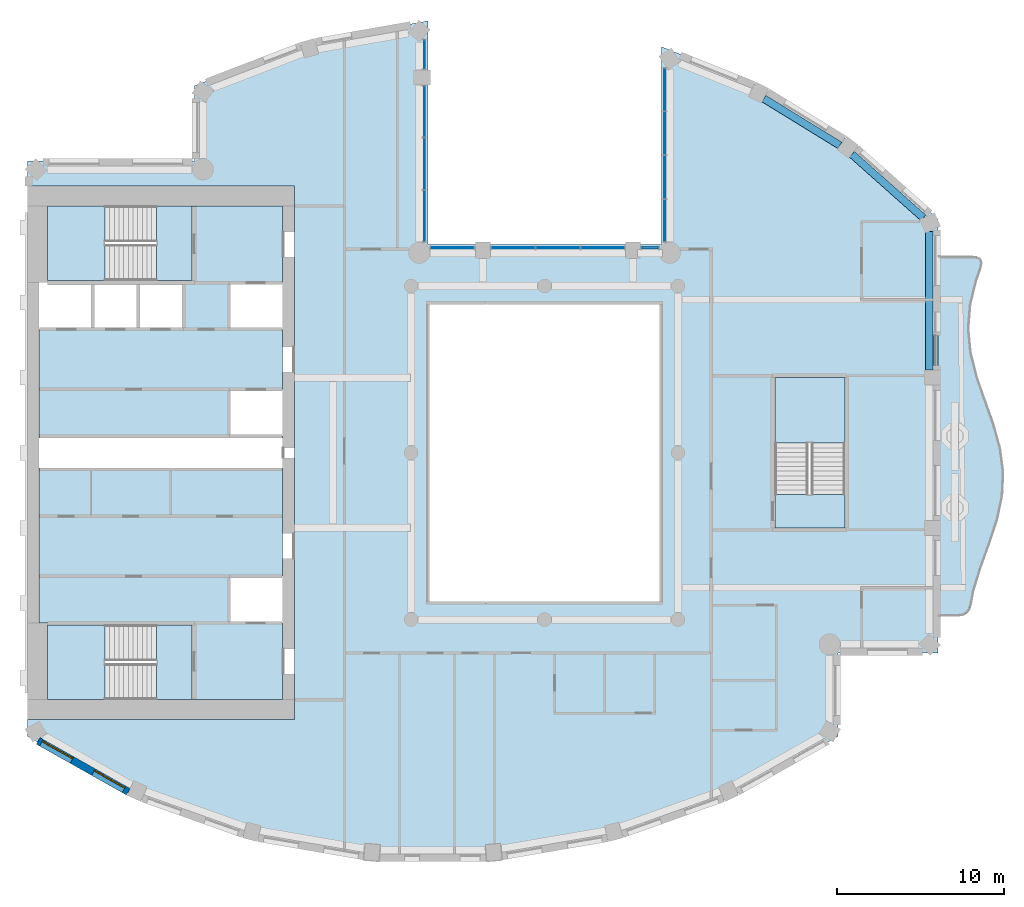
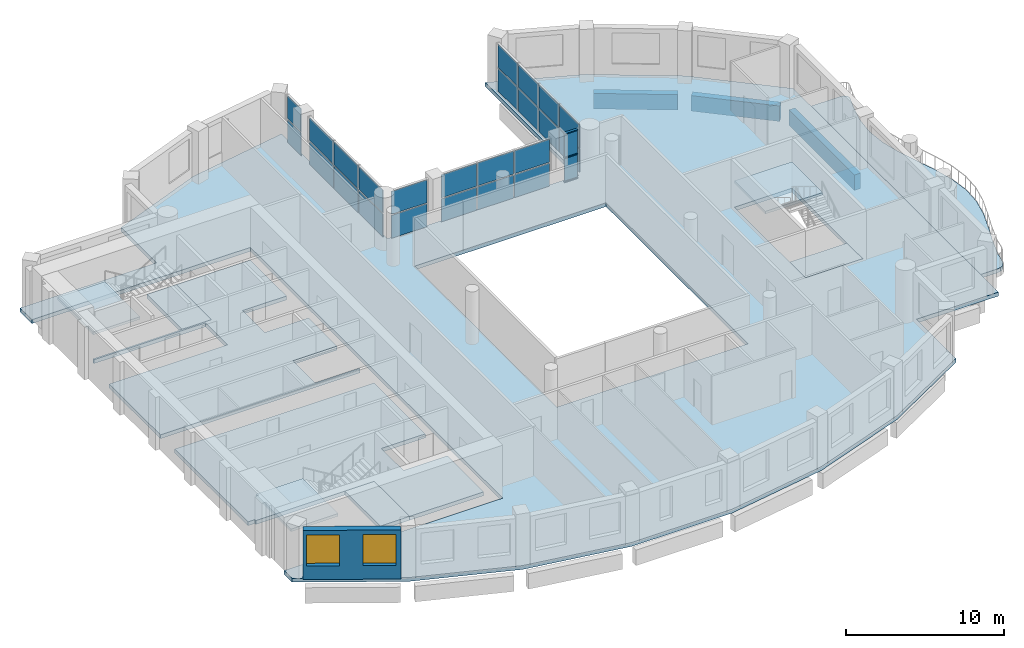
# One storey, part 3 of 14: 26 plates, 10 slabs, 3 beams, 3 members, 2 windows, 1 wall, 2 openings, 9 elements without a shape of their own.
"""IFC4 building model written with IfcOpenShell, lengths in metres."""

from ifc_helpers import new_model, si_unit, direction, frame, frame_2d, origin, origin_2d, place, context, subcontext, project, spatial, polyline, rectangle, outline, extrude, material, layer, layer_set, material_profile, profile_set, type_object, element, fill, aggregate, save


model = new_model("IFC4")

# Units and contexts
model_context = context("Model", 3, precision=1e-05, world=origin(), true_north=direction((0.0, 1.0)))
body_context = subcontext(model_context, "Body", "Model", "MODEL_VIEW")
ifc_project = project(units=[si_unit("LENGTHUNIT", "METRE"), si_unit("AREAUNIT", "SQUARE_METRE"), si_unit("VOLUMEUNIT", "CUBIC_METRE"), si_unit("PLANEANGLEUNIT", "RADIAN"), si_unit("MASSUNIT", "GRAM", prefix="KILO")], contexts=[model_context])

# Site, building, storey
site_placement = place(None, origin())
site = spatial("IfcSite", under=ifc_project, at=site_placement, CompositionType="ELEMENT")
building_placement = place(site_placement, origin())
building = spatial("IfcBuilding", under=site, at=building_placement, Name="Cypress Arch Tower", CompositionType="ELEMENT")
storey_placement = place(building_placement, frame((0.0, 0.0, 284.39990234375)))
storey = spatial("IfcBuildingStorey", under=building, at=storey_placement, Name="L64", CompositionType="ELEMENT", Elevation=284.39990234375)

# Beams
ifc_material_1 = material(Name="Concrete C50/60", Category="concrete")
ifc_material_profile_1 = material_profile(ifc_material_1, rectangle(XDim=0.449951171875, YDim=1.199951171875, at=origin_2d()), Name="RC 450x1200")
ifc_profile_set_1 = profile_set([ifc_material_profile_1], Name="Concrete C50/60")
beam_type = type_object("IfcBeamType", Name="Spandrel beam RC 450x1200 Concrete C50/60", PredefinedType="SPANDREL", material=ifc_profile_set_1)
beam_1_placement = place(storey_placement, frame((24.074951171875, 4.949951171875, -1.5498046875), z_axis=(0.0, 1.0, 0.0), x_axis=(-1.0, 0.0, 0.0)))
element("IfcBeam", 1, at=beam_1_placement, inside=storey, type_object=beam_type, Name="Spandrel beam L64 BC17-2", PredefinedType="SPANDREL", context=body_context, shape_type="SweptSolid", body=[
    extrude(rectangle(XDim=0.449951171875, YDim=1.199951171875, at=origin_2d()), origin(), (0.0, 0.0, 1.0), 8.32080078125),
])
beam_2_placement = place(storey_placement, frame((23.706298828125, 14.091796875, -1.5498046875), z_axis=(-0.747555073917, 0.664199827959, 0.0), x_axis=(-0.664199827959, -0.747555073917, 0.0)))
element("IfcBeam", 2, at=beam_2_placement, inside=storey, type_object=beam_type, Name="Spandrel beam L64 BC18-0", PredefinedType="SPANDREL", context=body_context, shape_type="SweptSolid", body=[
    extrude(rectangle(XDim=0.449951171875, YDim=1.199951171875, at=origin_2d()), origin(), (0.0, 0.0, 1.0), 5.72900390625),
])
beam_3_placement = place(storey_placement, frame((18.700927734375, 18.43359375, -1.5498046875), z_axis=(-0.851880940975, 0.523735488966, 0.0), x_axis=(-0.523735488966, -0.851880940975, 0.0)))
element("IfcBeam", 3, at=beam_3_placement, inside=storey, type_object=beam_type, Name="Spandrel beam L64 BC19-0", PredefinedType="SPANDREL", context=body_context, shape_type="SweptSolid", body=[
    extrude(rectangle(XDim=0.449951171875, YDim=1.199951171875, at=origin_2d()), origin(), (0.0, 0.0, 1.0), 5.344970703125),
])

# Curtain wall, members
ifc_material_2 = material(Name="Anodised aluminium, bronze finish, clear laminated double glazing", Category="aluminium")
curtain_wall_type = type_object("IfcCurtainWallType", Name="Curtain wall CW7 slot glazing", PredefinedType="NOTDEFINED", material=ifc_material_2)
curtain_wall_1_placement = place(storey_placement, origin())
curtain_wall_1 = element("IfcCurtainWall", 4, at=curtain_wall_1_placement, inside=storey, type_object=curtain_wall_type, Name="Curtain wall L64 slot C01.0", PredefinedType="NOTDEFINED")
ifc_material_3 = material(Name="Anodised aluminium, bronze finish", Category="aluminium")
ifc_material_profile_2 = material_profile(ifc_material_3, rectangle(XDim=0.179931640625, YDim=0.0849609375, at=origin_2d()), Name="Transom 85x180")
ifc_profile_set_2 = profile_set([ifc_material_profile_2], Name="Anodised aluminium, bronze finish")
member_type = type_object("IfcMemberType", Name="Transom CW7 85x180", PredefinedType="USERDEFINED", material=ifc_profile_set_2)
member_1_placement = place(storey_placement, frame((7.8134765625, 12.300048828125, 0.04248046875), z_axis=(-1.0, 0.0, 0.0), x_axis=(0.0, -1.0, 0.0)))
member_1 = element("IfcMember", 5, at=member_1_placement, type_object=member_type, Name="CW7 transom 1.1", ObjectType="TRANSOM", PredefinedType="USERDEFINED", context=body_context, shape_type="SweptSolid", body=[
    extrude(rectangle(XDim=0.179931640625, YDim=0.0849609375, at=origin_2d()), origin(), (0.0, 0.0, 1.0), 0.978515625),
])
member_2_placement = place(storey_placement, frame((7.8134765625, 12.300048828125, 1.900146484375), z_axis=(-1.0, 0.0, 0.0), x_axis=(0.0, -1.0, 0.0)))
member_2 = element("IfcMember", 6, at=member_2_placement, type_object=member_type, Name="CW7 transom 1.2", ObjectType="TRANSOM", PredefinedType="USERDEFINED", context=body_context, shape_type="SweptSolid", body=[
    extrude(rectangle(XDim=0.179931640625, YDim=0.0849609375, at=origin_2d()), origin(), (0.0, 0.0, 1.0), 0.978515625),
])
member_3_placement = place(storey_placement, frame((7.8134765625, 12.300048828125, 3.757568359375), z_axis=(-1.0, 0.0, 0.0), x_axis=(0.0, -1.0, 0.0)))
member_3 = element("IfcMember", 7, at=member_3_placement, type_object=member_type, Name="CW7 transom 1.3", ObjectType="TRANSOM", PredefinedType="USERDEFINED", context=body_context, shape_type="SweptSolid", body=[
    extrude(rectangle(XDim=0.179931640625, YDim=0.0849609375, at=origin_2d()), origin(), (0.0, 0.0, 1.0), 0.978515625),
])

# Slabs
ifc_material_4 = material(Name="Concrete C40/50", Category="concrete")
ifc_layer_1 = layer(ifc_material_4, 0.300048828125)
ifc_layer_set_1 = layer_set([ifc_layer_1], Name="Balcony slab BS300")
slab_type_1 = type_object("IfcSlabType", Name="Balcony slab BS300", PredefinedType="USERDEFINED", material=ifc_layer_set_1)
slab_1_placement = place(storey_placement, frame((0.0, 0.0, -0.2998046875)))
element("IfcSlab", 8, at=slab_1_placement, inside=storey, type_object=slab_type_1, Name="Balcony slab L64-C17", ObjectType="BALCONY SLAB", PredefinedType="USERDEFINED", context=body_context, shape_type="SweptSolid", body=[
    extrude(outline(polyline([(24.60009765625, -9.75), (25.78076171875, -9.75), (26.074462890625, -9.709716796875), (26.300537109375, -9.5888671875), (26.459228515625, -9.38720703125), (26.55029296875, -9.10498046875), (26.6904296875, -8.316650390625), (27.13134765625, -6.88330078125), (27.650390625, -5.449951171875), (28.1201171875, -4.0166015625), (28.42578125, -2.583251953125), (28.4921875, -1.14990234375), (28.302978515625, 0.283447265625), (27.90478515625, 1.716552734375), (27.39501953125, 3.14990234375), (26.898681640625, 4.583251953125), (26.53759765625, 6.0166015625), (26.400146484375, 7.449951171875), (26.52001953125, 8.88330078125), (26.867919921875, 10.316650390625), (27.1376953125, 11.10498046875), (27.191650390625, 11.38720703125), (27.1328125, 11.5888671875), (26.961181640625, 11.709716796875), (26.6767578125, 11.75), (24.60009765625, 11.75), (24.60009765625, -9.75)])), origin(), (0.0, 0.0, 1.0), 0.2998046875),
])
ifc_material_5 = material(Name="Concrete C40/50", Category="concrete")
ifc_layer_2 = layer(ifc_material_5, 0.300048828125)
ifc_layer_set_2 = layer_set([ifc_layer_2], Name="Core floor CF300")
slab_type_2 = type_object("IfcSlabType", Name="Core floor CF300", PredefinedType="FLOOR", material=ifc_layer_set_2)
slab_2_placement = place(storey_placement, frame((0.0, 0.0, -0.2998046875)))
element("IfcSlab", 9, at=slab_2_placement, inside=storey, type_object=slab_type_2, Name="Core floor", PredefinedType="FLOOR", context=body_context, shape_type="SweptSolid", body=[
    extrude(outline(polyline([(-28.89990234375, -10.199951171875), (-29.300048828125, -10.199951171875), (-29.300048828125, -0.89990234375), (-28.89990234375, -0.89990234375), (-15.10009765625, -0.89990234375), (-14.699951171875, -0.89990234375), (-14.699951171875, -7.39990234375), (-15.10009765625, -7.39990234375), (-17.919921875, -7.39990234375), (-17.919921875, -10.199951171875), (-15.10009765625, -10.199951171875), (-14.699951171875, -10.199951171875), (-14.699951171875, -14.800048828125), (-15.10009765625, -14.800048828125), (-20.125, -14.800048828125), (-20.125, -10.324951171875), (-22.27490234375, -10.324951171875), (-28.800048828125, -10.324951171875), (-28.800048828125, -10.199951171875), (-28.89990234375, -10.199951171875)])), origin(), (0.0, 0.0, 1.0), 0.2998046875),
])
slab_3_placement = place(storey_placement, frame((0.0, 0.0, -0.2998046875)))
element("IfcSlab", 10, at=slab_3_placement, inside=storey, type_object=slab_type_2, Name="Core floor", PredefinedType="FLOOR", context=body_context, shape_type="SweptSolid", body=[
    extrude(outline(polyline([(-22.27490234375, -10.324951171875), (-22.27490234375, -14.800048828125), (-20.125, -14.800048828125), (-20.125, -10.324951171875), (-22.27490234375, -10.324951171875)])), origin(), (0.0, 0.0, 1.0), 0.2998046875),
])
slab_4_placement = place(storey_placement, frame((0.0, 0.0, -0.2998046875)))
element("IfcSlab", 11, at=slab_4_placement, inside=storey, type_object=slab_type_2, Name="Core floor", PredefinedType="FLOOR", context=body_context, shape_type="SweptSolid", body=[
    extrude(outline(polyline([(-20.125, 14.800048828125), (-22.27490234375, 14.800048828125), (-22.27490234375, 10.324951171875), (-20.125, 10.324951171875), (-20.125, 14.800048828125)])), origin(), (0.0, 0.0, 1.0), 0.2998046875),
])
slab_5_placement = place(storey_placement, frame((0.0, 0.0, -0.2998046875)))
element("IfcSlab", 12, at=slab_5_placement, inside=storey, type_object=slab_type_2, Name="Stair floor landing", PredefinedType="FLOOR", context=body_context, shape_type="SweptSolid", body=[
    extrude(outline(polyline([(19.0, -4.5), (19.0, -2.5), (14.800048828125, -2.5), (14.800048828125, -4.5), (19.0, -4.5)])), origin(), (0.0, 0.0, 1.0), 0.2998046875),
])
slab_6_placement = place(storey_placement, frame((0.0, 0.0, -0.2998046875)))
element("IfcSlab", 13, at=slab_6_placement, inside=storey, type_object=slab_type_2, Name="Core floor", PredefinedType="FLOOR", context=body_context, shape_type="SweptSolid", body=[
    extrude(outline(polyline([(-20.639892578125, 10.199951171875), (-23.360107421875, 10.199951171875), (-26.080078125, 10.199951171875), (-28.800048828125, 10.199951171875), (-28.800048828125, 10.324951171875), (-22.27490234375, 10.324951171875), (-20.125, 10.324951171875), (-20.125, 14.800048828125), (-15.10009765625, 14.800048828125), (-14.699951171875, 14.800048828125), (-14.699951171875, 10.199951171875), (-15.10009765625, 10.199951171875), (-17.919921875, 10.199951171875), (-17.919921875, 7.39990234375), (-15.10009765625, 7.39990234375), (-14.699951171875, 7.39990234375), (-14.699951171875, 3.800048828125), (-15.10009765625, 3.800048828125), (-17.919921875, 3.800048828125), (-17.919921875, 1.5), (-17.919921875, 1.0), (-17.5, 1.0), (-15.10009765625, 1.0), (-14.699951171875, 1.0), (-14.699951171875, 0.89990234375), (-15.10009765625, 0.89990234375), (-17.5, 0.89990234375), (-18.300048828125, 0.89990234375), (-28.89990234375, 0.89990234375), (-29.300048828125, 0.89990234375), (-29.300048828125, 1.5), (-29.300048828125, 7.39990234375), (-28.89990234375, 7.39990234375), (-26.080078125, 7.39990234375), (-23.360107421875, 7.39990234375), (-20.639892578125, 7.39990234375), (-20.639892578125, 10.199951171875)])), origin(), (0.0, 0.0, 1.0), 0.2998046875),
])

# Curtain wall, plates
curtain_wall_2_placement = place(storey_placement, origin())
curtain_wall_2 = element("IfcCurtainWall", 14, at=curtain_wall_2_placement, inside=storey, type_object=curtain_wall_type, Name="Curtain wall L64 slot C00.0", PredefinedType="NOTDEFINED")
ifc_material_6 = material(Name="Clear laminated double glazing", Category="glass")
ifc_layer_3 = layer(ifc_material_6, 0.0439453125)
ifc_layer_set_3 = layer_set([ifc_layer_3], Name="Glass panel CW7 44")
plate_type = type_object("IfcPlateType", Name="Glass panel CW7 44", PredefinedType="CURTAIN_PANEL", material=ifc_layer_set_3)
plate_1_placement = place(storey_placement, frame((8.199951171875, 21.768798828125, 0.085205078125), z_axis=(0.0, 0.0, 1.0), x_axis=(0.0, -1.0, 0.0)))
plate_1 = element("IfcPlate", 15, at=plate_1_placement, type_object=plate_type, Name="CW7 panel 1.1", PredefinedType="CURTAIN_PANEL", context=body_context, shape_type="SweptSolid", body=[
    extrude(rectangle(XDim=2.497802734375, YDim=0.0439453125, at=origin_2d()), origin(), (0.0, 0.0, 1.0), 1.7724609375),
])
plate_2_placement = place(storey_placement, frame((8.199951171875, 21.768798828125, 1.942626953125), z_axis=(0.0, 0.0, 1.0), x_axis=(0.0, -1.0, 0.0)))
plate_2 = element("IfcPlate", 16, at=plate_2_placement, type_object=plate_type, Name="CW7 panel 1.2", PredefinedType="CURTAIN_PANEL", context=body_context, shape_type="SweptSolid", body=[
    extrude(rectangle(XDim=2.497802734375, YDim=0.0439453125, at=origin_2d()), origin(), (0.0, 0.0, 1.0), 1.7724609375),
])
plate_3_placement = place(storey_placement, frame((8.199951171875, 19.164794921875, 0.085205078125), z_axis=(0.0, 0.0, 1.0), x_axis=(0.0, -1.0, 0.0)))
plate_3 = element("IfcPlate", 17, at=plate_3_placement, type_object=plate_type, Name="CW7 panel 2.1", PredefinedType="CURTAIN_PANEL", context=body_context, shape_type="SweptSolid", body=[
    extrude(rectangle(XDim=2.540283203125, YDim=0.0439453125, at=origin_2d()), origin(), (0.0, 0.0, 1.0), 1.7724609375),
])
plate_4_placement = place(storey_placement, frame((8.199951171875, 19.164794921875, 1.942626953125), z_axis=(0.0, 0.0, 1.0), x_axis=(0.0, -1.0, 0.0)))
plate_4 = element("IfcPlate", 18, at=plate_4_placement, type_object=plate_type, Name="CW7 panel 2.2", PredefinedType="CURTAIN_PANEL", context=body_context, shape_type="SweptSolid", body=[
    extrude(rectangle(XDim=2.540283203125, YDim=0.0439453125, at=origin_2d()), origin(), (0.0, 0.0, 1.0), 1.7724609375),
])
plate_5_placement = place(storey_placement, frame((8.199951171875, 16.53955078125, 0.085205078125), z_axis=(0.0, 0.0, 1.0), x_axis=(0.0, -1.0, 0.0)))
plate_5 = element("IfcPlate", 19, at=plate_5_placement, type_object=plate_type, Name="CW7 panel 3.1", PredefinedType="CURTAIN_PANEL", context=body_context, shape_type="SweptSolid", body=[
    extrude(rectangle(XDim=2.540283203125, YDim=0.0439453125, at=origin_2d()), origin(), (0.0, 0.0, 1.0), 1.7724609375),
])
plate_6_placement = place(storey_placement, frame((8.199951171875, 16.53955078125, 1.942626953125), z_axis=(0.0, 0.0, 1.0), x_axis=(0.0, -1.0, 0.0)))
plate_6 = element("IfcPlate", 20, at=plate_6_placement, type_object=plate_type, Name="CW7 panel 3.2", PredefinedType="CURTAIN_PANEL", context=body_context, shape_type="SweptSolid", body=[
    extrude(rectangle(XDim=2.540283203125, YDim=0.0439453125, at=origin_2d()), origin(), (0.0, 0.0, 1.0), 1.7724609375),
])
plate_7_placement = place(storey_placement, frame((8.199951171875, 13.935302734375, 0.085205078125), z_axis=(0.0, 0.0, 1.0), x_axis=(0.0, -1.0, 0.0)))
plate_7 = element("IfcPlate", 21, at=plate_7_placement, type_object=plate_type, Name="CW7 panel 4.1", PredefinedType="CURTAIN_PANEL", context=body_context, shape_type="SweptSolid", body=[
    extrude(rectangle(XDim=2.497802734375, YDim=0.0439453125, at=origin_2d()), origin(), (0.0, 0.0, 1.0), 1.7724609375),
])
plate_8_placement = place(storey_placement, frame((8.199951171875, 13.935302734375, 1.942626953125), z_axis=(0.0, 0.0, 1.0), x_axis=(0.0, -1.0, 0.0)))
plate_8 = element("IfcPlate", 22, at=plate_8_placement, type_object=plate_type, Name="CW7 panel 4.2", PredefinedType="CURTAIN_PANEL", context=body_context, shape_type="SweptSolid", body=[
    extrude(rectangle(XDim=2.497802734375, YDim=0.0439453125, at=origin_2d()), origin(), (0.0, 0.0, 1.0), 1.7724609375),
])
aggregate(curtain_wall_2, [plate_1, plate_2, plate_3, plate_4, plate_5, plate_6, plate_7, plate_8])

# Plate
plate_9_placement = place(storey_placement, frame((7.32421875, 12.300048828125, 0.085205078125), z_axis=(0.0, 0.0, 1.0), x_axis=(-1.0, 0.0, 0.0)))
plate_9 = element("IfcPlate", 23, at=plate_9_placement, type_object=plate_type, Name="CW7 panel 1.1", PredefinedType="CURTAIN_PANEL", context=body_context, shape_type="SweptSolid", body=[
    extrude(rectangle(XDim=0.978515625, YDim=0.0439453125, at=origin_2d()), origin(), (0.0, 0.0, 1.0), 1.7724609375),
])

plate_10_placement = place(storey_placement, frame((7.32421875, 12.300048828125, 1.942626953125), z_axis=(0.0, 0.0, 1.0), x_axis=(-1.0, 0.0, 0.0)))
plate_10 = element("IfcPlate", 24, at=plate_10_placement, type_object=plate_type, Name="CW7 panel 1.2", PredefinedType="CURTAIN_PANEL", context=body_context, shape_type="SweptSolid", body=[
    extrude(rectangle(XDim=0.978515625, YDim=0.0439453125, at=origin_2d()), origin(), (0.0, 0.0, 1.0), 1.7724609375),
])

aggregate(curtain_wall_1, [member_1, member_2, member_3, plate_9, plate_10])

# Curtain wall, plates
curtain_wall_3_placement = place(storey_placement, origin())
curtain_wall_3 = element("IfcCurtainWall", 25, at=curtain_wall_3_placement, inside=storey, type_object=curtain_wall_type, Name="Curtain wall L64 slot C01.1", PredefinedType="NOTDEFINED")
plate_11_placement = place(storey_placement, frame((4.478759765625, 12.300048828125, 0.085205078125), z_axis=(0.0, 0.0, 1.0), x_axis=(-1.0, 0.0, 0.0)))
plate_11 = element("IfcPlate", 26, at=plate_11_placement, type_object=plate_type, Name="CW7 panel 1.1", PredefinedType="CURTAIN_PANEL", context=body_context, shape_type="SweptSolid", body=[
    extrude(rectangle(XDim=2.572509765625, YDim=0.0439453125, at=origin_2d()), origin(), (0.0, 0.0, 1.0), 1.7724609375),
])
plate_12_placement = place(storey_placement, frame((4.478759765625, 12.300048828125, 1.942626953125), z_axis=(0.0, 0.0, 1.0), x_axis=(-1.0, 0.0, 0.0)))
plate_12 = element("IfcPlate", 27, at=plate_12_placement, type_object=plate_type, Name="CW7 panel 1.2", PredefinedType="CURTAIN_PANEL", context=body_context, shape_type="SweptSolid", body=[
    extrude(rectangle(XDim=2.572509765625, YDim=0.0439453125, at=origin_2d()), origin(), (0.0, 0.0, 1.0), 1.7724609375),
])
plate_13_placement = place(storey_placement, frame((1.800048828125, 12.300048828125, 0.085205078125), z_axis=(0.0, 0.0, 1.0), x_axis=(-1.0, 0.0, 0.0)))
plate_13 = element("IfcPlate", 28, at=plate_13_placement, type_object=plate_type, Name="CW7 panel 2.1", PredefinedType="CURTAIN_PANEL", context=body_context, shape_type="SweptSolid", body=[
    extrude(rectangle(XDim=2.614990234375, YDim=0.0439453125, at=origin_2d()), origin(), (0.0, 0.0, 1.0), 1.7724609375),
])
plate_14_placement = place(storey_placement, frame((1.800048828125, 12.300048828125, 1.942626953125), z_axis=(0.0, 0.0, 1.0), x_axis=(-1.0, 0.0, 0.0)))
plate_14 = element("IfcPlate", 29, at=plate_14_placement, type_object=plate_type, Name="CW7 panel 2.2", PredefinedType="CURTAIN_PANEL", context=body_context, shape_type="SweptSolid", body=[
    extrude(rectangle(XDim=2.614990234375, YDim=0.0439453125, at=origin_2d()), origin(), (0.0, 0.0, 1.0), 1.7724609375),
])
plate_15_placement = place(storey_placement, frame((-0.878662109375, 12.300048828125, 0.085205078125), z_axis=(0.0, 0.0, 1.0), x_axis=(-1.0, 0.0, 0.0)))
plate_15 = element("IfcPlate", 30, at=plate_15_placement, type_object=plate_type, Name="CW7 panel 3.1", PredefinedType="CURTAIN_PANEL", context=body_context, shape_type="SweptSolid", body=[
    extrude(rectangle(XDim=2.572509765625, YDim=0.0439453125, at=origin_2d()), origin(), (0.0, 0.0, 1.0), 1.7724609375),
])
plate_16_placement = place(storey_placement, frame((-0.878662109375, 12.300048828125, 1.942626953125), z_axis=(0.0, 0.0, 1.0), x_axis=(-1.0, 0.0, 0.0)))
plate_16 = element("IfcPlate", 31, at=plate_16_placement, type_object=plate_type, Name="CW7 panel 3.2", PredefinedType="CURTAIN_PANEL", context=body_context, shape_type="SweptSolid", body=[
    extrude(rectangle(XDim=2.572509765625, YDim=0.0439453125, at=origin_2d()), origin(), (0.0, 0.0, 1.0), 1.7724609375),
])
aggregate(curtain_wall_3, [plate_11, plate_12, plate_13, plate_14, plate_15, plate_16])

curtain_wall_4_placement = place(storey_placement, origin())
curtain_wall_4 = element("IfcCurtainWall", 32, at=curtain_wall_4_placement, inside=storey, type_object=curtain_wall_type, Name="Curtain wall L64 slot C01.2", PredefinedType="NOTDEFINED")
plate_17_placement = place(storey_placement, frame((-4.524169921875, 12.300048828125, 0.085205078125), z_axis=(0.0, 0.0, 1.0), x_axis=(-1.0, 0.0, 0.0)))
plate_17 = element("IfcPlate", 33, at=plate_17_placement, type_object=plate_type, Name="CW7 panel 1.1", PredefinedType="CURTAIN_PANEL", context=body_context, shape_type="SweptSolid", body=[
    extrude(rectangle(XDim=2.57861328125, YDim=0.0439453125, at=origin_2d()), origin(), (0.0, 0.0, 1.0), 1.7724609375),
])
plate_18_placement = place(storey_placement, frame((-4.524169921875, 12.300048828125, 1.942626953125), z_axis=(0.0, 0.0, 1.0), x_axis=(-1.0, 0.0, 0.0)))
plate_18 = element("IfcPlate", 34, at=plate_18_placement, type_object=plate_type, Name="CW7 panel 1.2", PredefinedType="CURTAIN_PANEL", context=body_context, shape_type="SweptSolid", body=[
    extrude(rectangle(XDim=2.57861328125, YDim=0.0439453125, at=origin_2d()), origin(), (0.0, 0.0, 1.0), 1.7724609375),
])
aggregate(curtain_wall_4, [plate_17, plate_18])

curtain_wall_5_placement = place(storey_placement, origin())
curtain_wall_5 = element("IfcCurtainWall", 35, at=curtain_wall_5_placement, inside=storey, type_object=curtain_wall_type, Name="Curtain wall L64 slot C02.0", PredefinedType="NOTDEFINED")
plate_19_placement = place(storey_placement, frame((-6.199951171875, 14.197509765625, 0.085205078125), z_axis=(0.0, 0.0, 1.0), x_axis=(0.0, 1.0, 0.0)))
plate_19 = element("IfcPlate", 36, at=plate_19_placement, type_object=plate_type, Name="CW7 panel 1.1", PredefinedType="CURTAIN_PANEL", context=body_context, shape_type="SweptSolid", body=[
    extrude(rectangle(XDim=3.02197265625, YDim=0.0439453125, at=origin_2d()), origin(), (0.0, 0.0, 1.0), 1.7724609375),
])
plate_20_placement = place(storey_placement, frame((-6.199951171875, 14.197509765625, 1.942626953125), z_axis=(0.0, 0.0, 1.0), x_axis=(0.0, 1.0, 0.0)))
plate_20 = element("IfcPlate", 37, at=plate_20_placement, type_object=plate_type, Name="CW7 panel 1.2", PredefinedType="CURTAIN_PANEL", context=body_context, shape_type="SweptSolid", body=[
    extrude(rectangle(XDim=3.02197265625, YDim=0.0439453125, at=origin_2d()), origin(), (0.0, 0.0, 1.0), 1.7724609375),
])
plate_21_placement = place(storey_placement, frame((-6.199951171875, 17.32568359375, 0.085205078125), z_axis=(0.0, 0.0, 1.0), x_axis=(0.0, 1.0, 0.0)))
plate_21 = element("IfcPlate", 38, at=plate_21_placement, type_object=plate_type, Name="CW7 panel 2.1", PredefinedType="CURTAIN_PANEL", context=body_context, shape_type="SweptSolid", body=[
    extrude(rectangle(XDim=3.064453125, YDim=0.0439453125, at=origin_2d()), origin(), (0.0, 0.0, 1.0), 1.7724609375),
])
plate_22_placement = place(storey_placement, frame((-6.199951171875, 17.32568359375, 1.942626953125), z_axis=(0.0, 0.0, 1.0), x_axis=(0.0, 1.0, 0.0)))
plate_22 = element("IfcPlate", 39, at=plate_22_placement, type_object=plate_type, Name="CW7 panel 2.2", PredefinedType="CURTAIN_PANEL", context=body_context, shape_type="SweptSolid", body=[
    extrude(rectangle(XDim=3.064453125, YDim=0.0439453125, at=origin_2d()), origin(), (0.0, 0.0, 1.0), 1.7724609375),
])
plate_23_placement = place(storey_placement, frame((-6.199951171875, 20.4541015625, 0.085205078125), z_axis=(0.0, 0.0, 1.0), x_axis=(0.0, 1.0, 0.0)))
plate_23 = element("IfcPlate", 40, at=plate_23_placement, type_object=plate_type, Name="CW7 panel 3.1", PredefinedType="CURTAIN_PANEL", context=body_context, shape_type="SweptSolid", body=[
    extrude(rectangle(XDim=3.02197265625, YDim=0.0439453125, at=origin_2d()), origin(), (0.0, 0.0, 1.0), 1.7724609375),
])
plate_24_placement = place(storey_placement, frame((-6.199951171875, 20.4541015625, 1.942626953125), z_axis=(0.0, 0.0, 1.0), x_axis=(0.0, 1.0, 0.0)))
plate_24 = element("IfcPlate", 41, at=plate_24_placement, type_object=plate_type, Name="CW7 panel 3.2", PredefinedType="CURTAIN_PANEL", context=body_context, shape_type="SweptSolid", body=[
    extrude(rectangle(XDim=3.02197265625, YDim=0.0439453125, at=origin_2d()), origin(), (0.0, 0.0, 1.0), 1.7724609375),
])
aggregate(curtain_wall_5, [plate_19, plate_20, plate_21, plate_22, plate_23, plate_24])

curtain_wall_6_placement = place(storey_placement, origin())
curtain_wall_6 = element("IfcCurtainWall", 42, at=curtain_wall_6_placement, inside=storey, type_object=curtain_wall_type, Name="Curtain wall L64 slot C02.1", PredefinedType="NOTDEFINED")
plate_25_placement = place(storey_placement, frame((-6.199951171875, 23.89111328125, 0.085205078125), z_axis=(0.0, 0.0, 1.0), x_axis=(0.0, 1.0, 0.0)))
plate_25 = element("IfcPlate", 43, at=plate_25_placement, type_object=plate_type, Name="CW7 panel 1.1", PredefinedType="CURTAIN_PANEL", context=body_context, shape_type="SweptSolid", body=[
    extrude(rectangle(XDim=1.71240234375, YDim=0.0439453125, at=origin_2d()), origin(), (0.0, 0.0, 1.0), 1.7724609375),
])
plate_26_placement = place(storey_placement, frame((-6.199951171875, 23.89111328125, 1.942626953125), z_axis=(0.0, 0.0, 1.0), x_axis=(0.0, 1.0, 0.0)))
plate_26 = element("IfcPlate", 44, at=plate_26_placement, type_object=plate_type, Name="CW7 panel 1.2", PredefinedType="CURTAIN_PANEL", context=body_context, shape_type="SweptSolid", body=[
    extrude(rectangle(XDim=1.71240234375, YDim=0.0439453125, at=origin_2d()), origin(), (0.0, 0.0, 1.0), 1.7724609375),
])
aggregate(curtain_wall_6, [plate_25, plate_26])

# Slab
ifc_material_7 = material(Name="Concrete C40/50", Category="concrete")
ifc_layer_4 = layer(ifc_material_7, 0.300048828125)
ifc_layer_set_4 = layer_set([ifc_layer_4], Name="PT flat slab 300 Concrete C40/50")
slab_type_3 = type_object("IfcSlabType", Name="PT flat slab 300 Concrete C40/50", PredefinedType="FLOOR", material=ifc_layer_set_4)
slab_7_placement = place(storey_placement, frame((0.0, 0.0, -0.2998046875)))
element("IfcSlab", 45, at=slab_7_placement, inside=storey, type_object=slab_type_3, Name="Floor slab L64", PredefinedType="FLOOR", context=body_context, shape_type="SweptSolid", body=[
    extrude(outline(polyline([(-30.0, 17.5), (-20.0, 17.5), (-20.0, 22.0), (-13.199951171875, 24.6201171875), (-6.0, 25.889892578125), (-6.0, 12.5), (8.0, 12.5), (8.0, 24.35009765625), (14.0, 21.93994140625), (19.39990234375, 18.6201171875), (24.60009765625, 14.0), (24.60009765625, -12.0), (18.60009765625, -12.0), (18.60009765625, -17.0), (12.179931640625, -20.6201171875), (5.239990234375, -23.090087890625), (-2.02001953125, -24.340087890625), (-9.3798828125, -24.340087890625), (-16.639892578125, -23.090087890625), (-23.580078125, -20.6201171875), (-30.0, -17.0), (-30.0, -16.0), (-14.0, -16.0), (-14.0, 16.0), (-30.0, 16.0), (-30.0, 17.5)]), holes=[polyline([(-6.0, -9.0), (8.0, -9.0), (8.0, 9.0), (-6.0, 9.0), (-6.0, -9.0)]), polyline([(14.800048828125, -4.5), (19.0, -4.5), (19.0, 4.5), (14.800048828125, 4.5), (14.800048828125, -4.5)])]), origin(), (0.0, 0.0, 1.0), 0.2998046875),
])

# Stair, slab
ifc_material_8 = material(Name="Concrete C40/50", Category="concrete")
stair_type_1 = type_object("IfcStairType", Name="Exit stair ES1708-215", PredefinedType="HALF_TURN_STAIR", material=ifc_material_8)
stair_1_placement = place(storey_placement, origin())
stair_1 = element("IfcStair", 46, at=stair_1_placement, inside=storey, type_object=stair_type_1, Name="L64 Exit stair A", PredefinedType="HALF_TURN_STAIR")
ifc_material_9 = material(Name="Concrete C40/50", Category="concrete")
ifc_layer_5 = layer(ifc_material_9, 0.199951171875)
ifc_layer_set_5 = layer_set([ifc_layer_5], Name="Stair landing SL200")
slab_type_4 = type_object("IfcSlabType", Name="Stair landing SL200", PredefinedType="LANDING", material=ifc_layer_set_5)
slab_8_placement = place(storey_placement, frame((0.0, 0.0, 1.85009765625)))
slab_8 = element("IfcSlab", 47, at=slab_8_placement, type_object=slab_type_4, Name="A landing 1", PredefinedType="LANDING", context=body_context, shape_type="SweptSolid", body=[
    extrude(outline(polyline([(-25.35498046875, -10.324951171875), (-28.800048828125, -10.324951171875), (-28.800048828125, -14.800048828125), (-25.35498046875, -14.800048828125), (-25.35498046875, -10.324951171875)])), origin(), (0.0, 0.0, 1.0), 0.199951171875),
])
aggregate(stair_1, [slab_8])

stair_2_placement = place(storey_placement, origin())
stair_2 = element("IfcStair", 48, at=stair_2_placement, inside=storey, type_object=stair_type_1, Name="L64 Exit stair B", PredefinedType="HALF_TURN_STAIR")
slab_9_placement = place(storey_placement, frame((0.0, 0.0, 1.85009765625)))
slab_9 = element("IfcSlab", 49, at=slab_9_placement, type_object=slab_type_4, Name="B landing 1", PredefinedType="LANDING", context=body_context, shape_type="SweptSolid", body=[
    extrude(outline(polyline([(-25.35498046875, 14.800048828125), (-28.800048828125, 14.800048828125), (-28.800048828125, 10.324951171875), (-25.35498046875, 10.324951171875), (-25.35498046875, 14.800048828125)])), origin(), (0.0, 0.0, 1.0), 0.199951171875),
])
aggregate(stair_2, [slab_9])

ifc_material_10 = material(Name="Concrete C40/50", Category="concrete")
stair_type_2 = type_object("IfcStairType", Name="Exit stair ES1708-200", PredefinedType="HALF_TURN_STAIR", material=ifc_material_10)
stair_3_placement = place(storey_placement, origin())
stair_3 = element("IfcStair", 50, at=stair_3_placement, inside=storey, type_object=stair_type_2, Name="L64 Exit stair C", PredefinedType="HALF_TURN_STAIR")
slab_10_placement = place(storey_placement, frame((0.0, 0.0, 1.85009765625)))
slab_10 = element("IfcSlab", 51, at=slab_10_placement, type_object=slab_type_4, Name="C landing 1", PredefinedType="LANDING", context=body_context, shape_type="SweptSolid", body=[
    extrude(outline(polyline([(19.0, 0.580078125), (19.0, 4.5), (14.800048828125, 4.5), (14.800048828125, 0.580078125), (19.0, 0.580078125)])), origin(), (0.0, 0.0, 1.0), 0.199951171875),
])
aggregate(stair_3, [slab_10])

# Wall, openings, windows
ifc_material_11 = material(Name="Brick (red buff blend)", Category="masonry")
ifc_layer_6 = layer(ifc_material_11, 0.449951171875)
ifc_layer_set_6 = layer_set([ifc_layer_6], Name="Brick pier and spandrel wall BW450")
wall_type = type_object("IfcWallType", Name="Brick pier and spandrel wall BW450", PredefinedType="SOLIDWALL", material=ifc_layer_set_6)
wall_placement = place(storey_placement, frame((-29.3564453125, -17.276611328125, 0.0), z_axis=(0.0, 0.0, 1.0), x_axis=(0.871065783524, -0.491166367714, 0.0)))
wall = element("IfcWall", 52, at=wall_placement, inside=storey, type_object=wall_type, Name="Brick wall L64 C08.0", PredefinedType="SOLIDWALL", context=body_context, shape_type="SweptSolid", body=[
    extrude(rectangle(XDim=6.1962890625, YDim=0.449951171875, at=frame_2d((3.09814453125, 0.0))), origin(), (0.0, 0.0, 1.0), 3.800048828125),
])
opening_1_placement = place(wall_placement, frame((0.22119140625, 0.0, 1.050048828125)))
opening_1 = element("IfcOpeningElement", 53, at=opening_1_placement, cuts=wall, Name="Opening W210O", PredefinedType="OPENING", context=body_context, shape_type="SweptSolid", body=[
    extrude(rectangle(XDim=2.10009765625, YDim=2.39990234375, at=frame_2d((1.050048828125, 1.199951171875))), frame((0.0, 0.23486328125, 0.0), z_axis=(0.0, -1.0, 0.0), x_axis=(1.0, 0.0, 0.0)), (0.0, 0.0, 1.0), 0.469970703125),
])
opening_2_placement = place(wall_placement, frame((3.8056640625, 0.0, 1.050048828125)))
opening_2 = element("IfcOpeningElement", 54, at=opening_2_placement, cuts=wall, Name="Opening W210O", PredefinedType="OPENING", context=body_context, shape_type="SweptSolid", body=[
    extrude(rectangle(XDim=2.10009765625, YDim=2.39990234375, at=frame_2d((1.050048828125, 1.199951171875))), frame((0.0, 0.23486328125, 0.0), z_axis=(0.0, -1.0, 0.0), x_axis=(1.0, 0.0, 0.0)), (0.0, 0.0, 1.0), 0.469970703125),
])
ifc_material_12 = material(Name="Anodised aluminium, bronze finish, clear low-emissivity double glazing", Category="aluminium")
window_type = type_object("IfcWindowType", Name="Window Office 2100x2400", PartitioningType="SINGLE_PANEL", PredefinedType="WINDOW", material=ifc_material_12)
window_1_placement = place(opening_1_placement, origin())
window_1 = element("IfcWindow", 55, at=window_1_placement, inside=storey, type_object=window_type, Name="Window L64 C08.0.1", OverallHeight=2.39990234375, OverallWidth=2.10009765625, PartitioningType="SINGLE_PANEL", PredefinedType="WINDOW", context=body_context, shape_type="SweptSolid", body=[
    extrude(rectangle(XDim=2.10009765625, YDim=2.39990234375, at=frame_2d((1.050048828125, 1.199951171875))), frame((0.0, 0.135009765625, 0.0), z_axis=(0.0, -1.0, 0.0), x_axis=(1.0, 0.0, 0.0)), (0.0, 0.0, 1.0), 0.06005859375),
])
fill(opening_1, window_1)
window_2_placement = place(opening_2_placement, origin())
window_2 = element("IfcWindow", 56, at=window_2_placement, inside=storey, type_object=window_type, Name="Window L64 C08.0.2", OverallHeight=2.39990234375, OverallWidth=2.10009765625, PartitioningType="SINGLE_PANEL", PredefinedType="WINDOW", context=body_context, shape_type="SweptSolid", body=[
    extrude(rectangle(XDim=2.10009765625, YDim=2.39990234375, at=frame_2d((1.050048828125, 1.199951171875))), frame((0.0, 0.135009765625, 0.0), z_axis=(0.0, -1.0, 0.0), x_axis=(1.0, 0.0, 0.0)), (0.0, 0.0, 1.0), 0.06005859375),
])
fill(opening_2, window_2)

save(model, "model.ifc")
